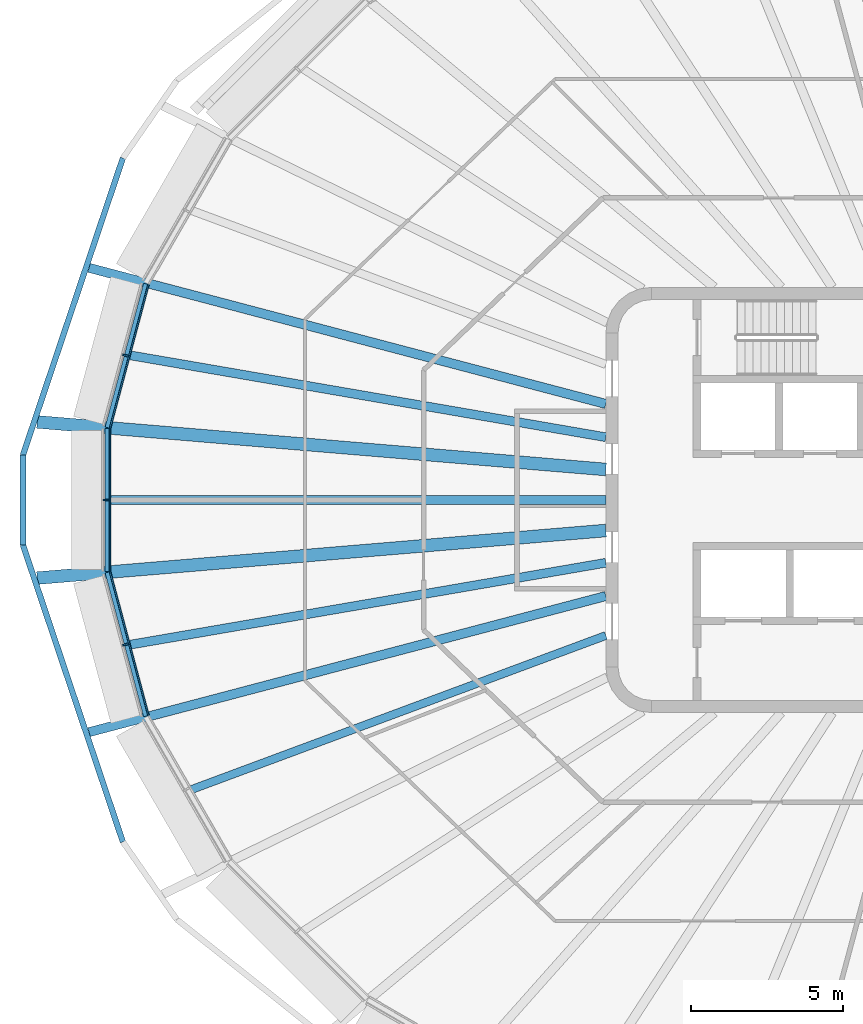
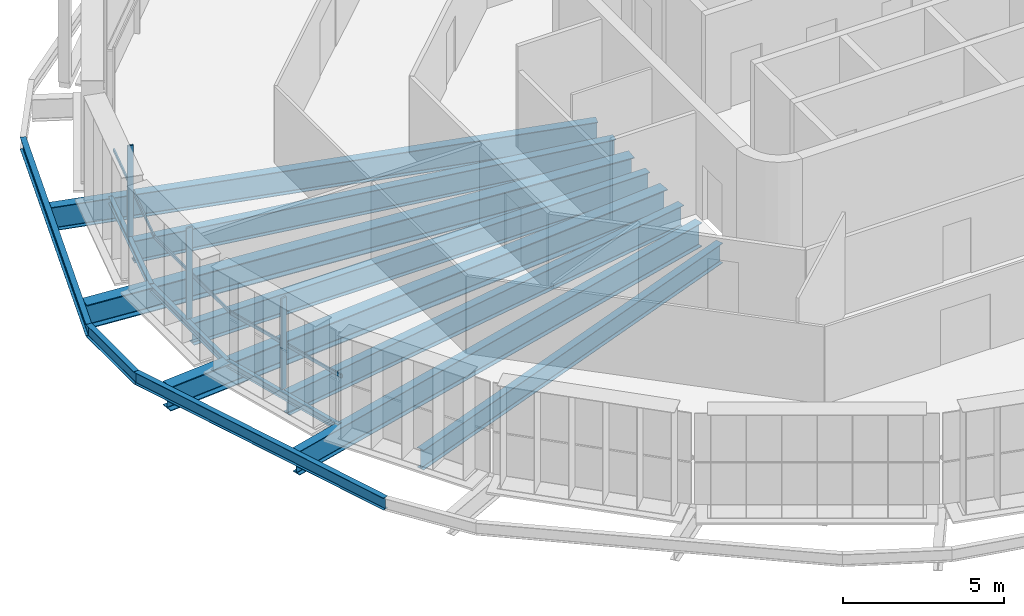
# One storey, part 2 of 19: 14 beams, 6 members, 3 elements without a shape of their own.
"""IFC4 building model written with IfcOpenShell, lengths in metres."""

import ifcopenshell
import ifcopenshell.guid

model = None  # the IFC model being written
_history = None  # IfcOwnerHistory: only IFC2X3 demands one
_inside = {}  # id of a spatial element -> (the spatial element, [elements in it])
_under = {}  # id of a project, library or spatial element -> (it, [spatial elements below it])
_declared = {}  # id of a project -> (the project, [libraries it declares])
_typed = {}  # id of a type object -> (the type object, [elements of that type])
_made_of = {}  # id of a material, layer set ... -> (it, [elements and type objects made of it])


def new_model(schema):
    """Start an empty IFC model of exactly this schema.

    Asked for "IFC4X3", IfcOpenShell would pick the latest addendum, in which some entities
    have other attributes; the version numbers below select the first issue.
    IFC2X3 requires an IfcOwnerHistory on every rooted entity: one is made here for all.
    """
    global model, _history
    if schema == "IFC4X3":
        model = ifcopenshell.file(schema_version=(4, 3, 0, 0))
    else:
        model = ifcopenshell.file(schema=schema)
    _inside.clear()
    _under.clear()
    _declared.clear()
    _typed.clear()
    _made_of.clear()
    _history = None
    if model.schema == "IFC2X3":
        org = make("IfcOrganization", Name="unknown")
        user = make(
            "IfcPersonAndOrganization",
            ThePerson=make("IfcPerson", FamilyName="unknown"),
            TheOrganization=org,
        )
        app = make(
            "IfcApplication",
            ApplicationDeveloper=org,
            Version="unknown",
            ApplicationFullName="unknown",
            ApplicationIdentifier="unknown",
        )
        _history = make(
            "IfcOwnerHistory",
            OwningUser=user,
            OwningApplication=app,
            ChangeAction="ADDED",
            CreationDate=0,
        )
    return model


def make(cls, **values):
    """One entity of the class cls with the attributes given. An attribute that is None is left unset."""
    return model.create_entity(
        cls, **{name: value for name, value in values.items() if value is not None}
    )


def rooted(cls, **values):
    """An entity with a GlobalId (a new one), such as an element, a storey or a relation."""
    return make(cls, GlobalId=ifcopenshell.guid.new(), OwnerHistory=_history, **values)


def si_unit(unit_type, name, prefix=None):
    """IfcSIUnit, for example si_unit("LENGTHUNIT", "METRE", prefix="MILLI")."""
    return make("IfcSIUnit", UnitType=unit_type, Prefix=prefix, Name=name)


def assignment(units):
    """IfcUnitAssignment: the units of a project."""
    return None if units is None else make("IfcUnitAssignment", Units=units)


def point(xyz):
    """IfcCartesianPoint."""
    return None if xyz is None else make("IfcCartesianPoint", Coordinates=xyz)


def direction(xyz):
    """IfcDirection."""
    return None if xyz is None else make("IfcDirection", DirectionRatios=xyz)


def frame(location, z_axis=None, x_axis=None):
    """IfcAxis2Placement3D, a coordinate frame: its origin and axes. An axis left out is left unset."""
    return make(
        "IfcAxis2Placement3D",
        Location=point(location),
        Axis=direction(z_axis),
        RefDirection=direction(x_axis),
    )


def frame_2d(location, x_axis=None):
    """IfcAxis2Placement2D, a coordinate frame in the plane: its origin and x axis."""
    return make(
        "IfcAxis2Placement2D", Location=point(location), RefDirection=direction(x_axis)
    )


def origin():
    """The frame at (0, 0, 0) with its axes left unset."""
    return frame((0.0, 0.0, 0.0))


def origin_2d():
    """The frame at (0, 0) in the plane with its x axis left unset."""
    return frame_2d((0.0, 0.0))


def place(relative_to, where):
    """IfcLocalPlacement: puts the frame where relative to a parent placement (None: the world)."""
    return make(
        "IfcLocalPlacement", PlacementRelTo=relative_to, RelativePlacement=where
    )


def context(
    kind, dimensions, precision=None, world=None, true_north=None, identifier=None
):
    """IfcGeometricRepresentationContext, for example the 3D "Model" context."""
    return make(
        "IfcGeometricRepresentationContext",
        ContextIdentifier=identifier,
        ContextType=kind,
        CoordinateSpaceDimension=dimensions,
        Precision=precision,
        WorldCoordinateSystem=world,
        TrueNorth=true_north,
    )


def subcontext(parent, identifier, kind, view, scale=None):
    """IfcGeometricRepresentationSubContext, for example "Body" below "Model"."""
    return make(
        "IfcGeometricRepresentationSubContext",
        ContextIdentifier=identifier,
        ContextType=kind,
        ParentContext=parent,
        TargetScale=scale,
        TargetView=view,
    )


def project(units=None, contexts=None):
    """IfcProject with its units and contexts."""
    return rooted(
        "IfcProject",
        Name="project",
        RepresentationContexts=contexts,
        UnitsInContext=assignment(units),
    )


def spatial(cls, under=None, at=None, **own):
    """A site, building, storey or space (cls), placed at a placement, below another one or the project."""
    s = rooted(cls, ObjectPlacement=at, **own)
    if under is not None:
        _under.setdefault(under.id(), (under, []))[1].append(s)
    return s


def profile(cls, at=None, kind="AREA", **sizes):
    """A parametric profile (cls). Its sizes go by their IFC names, for example OverallWidth=200.0."""
    return make(cls, ProfileType=kind, Position=at, **sizes)


def rectangle(**sizes):
    """IfcRectangleProfileDef."""
    return profile("IfcRectangleProfileDef", **sizes)


def i_section(**sizes):
    """IfcIShapeProfileDef."""
    return profile("IfcIShapeProfileDef", **sizes)


def extrude(swept, where, along, depth):
    """IfcExtrudedAreaSolid: the profile swept, set in the frame where, extruded along a direction by depth."""
    return make(
        "IfcExtrudedAreaSolid",
        SweptArea=swept,
        Position=where,
        ExtrudedDirection=direction(along),
        Depth=depth,
    )


def shape(context_of_items, identifier, shape_type, items):
    """IfcShapeRepresentation: the items that make up one representation, for example the "Body"."""
    return make(
        "IfcShapeRepresentation",
        ContextOfItems=context_of_items,
        RepresentationIdentifier=identifier,
        RepresentationType=shape_type,
        Items=items,
    )


def material(Name=None, Category=None):
    """IfcMaterial."""
    return make("IfcMaterial", Name=Name, Category=Category)


def layer(
    of_material, thickness, ventilated=None, Name=None, Category=None, Priority=None
):
    """IfcMaterialLayer: one layer of a wall or slab, of a material (None: an air gap)."""
    return make(
        "IfcMaterialLayer",
        Material=of_material,
        LayerThickness=thickness,
        IsVentilated=ventilated,
        Name=Name,
        Category=Category,
        Priority=Priority,
    )


def layer_set(layers, Name=None):
    """IfcMaterialLayerSet."""
    return make("IfcMaterialLayerSet", MaterialLayers=layers, LayerSetName=Name)


def material_profile(
    of_material, cross_section, Name=None, Category=None, Priority=None
):
    """IfcMaterialProfile: a cross section and its material."""
    return make(
        "IfcMaterialProfile",
        Name=Name,
        Material=of_material,
        Profile=cross_section,
        Priority=Priority,
        Category=Category,
    )


def profile_set(profiles, Name=None, composite=None):
    """IfcMaterialProfileSet."""
    return make(
        "IfcMaterialProfileSet",
        Name=Name,
        MaterialProfiles=profiles,
        CompositeProfile=composite,
    )


def made_of(thing, what):
    """Note that an element or type object is made of a material, layer set ...; save() writes the relation."""
    if what is not None:
        _made_of.setdefault(what.id(), (what, []))[1].append(thing)
    return thing


def type_object(cls, material=None, **own):
    """A type object (cls), such as IfcWallType, which elements share."""
    return made_of(rooted(cls, **own), material)


def element(
    cls,
    number,
    at=None,
    inside=None,
    cuts=None,
    type_object=None,
    material=None,
    context=None,
    identifier="Body",
    shape_type=None,
    held_by="IfcProductDefinitionShape",
    body=None,
    shapes=None,
    **own,
):
    """One element of the class cls, such as IfcWall. Its Tag is "e" and its number.

    at: its placement. inside: the storey or other place that contains it. cuts: it is an
    opening in that element (IfcRelVoidsElement). A single representation is given by context,
    identifier, shape_type and body (its items); several are given by shapes. held_by: the class
    of the entity that holds the representations. save() writes the other relations.
    """
    e = rooted(cls, Tag="e%d" % number, ObjectPlacement=at, **own)
    if body is not None:
        shapes = [shape(context, identifier, shape_type, body)]
    if shapes is not None:
        e.Representation = make(held_by, Representations=shapes)
    if inside is not None:
        _inside.setdefault(inside.id(), (inside, []))[1].append(e)
    if cuts is not None:
        rooted(
            "IfcRelVoidsElement", RelatingBuildingElement=cuts, RelatedOpeningElement=e
        )
    if type_object is not None:
        _typed.setdefault(type_object.id(), (type_object, []))[1].append(e)
    return made_of(e, material)


def aggregate(whole, parts):
    """IfcRelAggregates: a whole, such as a stair, and the parts it consists of."""
    return rooted("IfcRelAggregates", RelatingObject=whole, RelatedObjects=parts)


def save(model, path):
    """Write the relations noted so far, then the file.

    IfcRelAggregates (storeys below a building ...), IfcRelContainedInSpatialStructure (elements
    in a storey), IfcRelDefinesByType, IfcRelAssociatesMaterial and IfcRelDeclares: one each for
    every whole, place, type object, material and project.
    """
    for whole, parts in _under.values():
        aggregate(whole, parts)
    for where, things in _inside.values():
        rooted(
            "IfcRelContainedInSpatialStructure",
            RelatedElements=things,
            RelatingStructure=where,
        )
    for kind, things in _typed.values():
        rooted("IfcRelDefinesByType", RelatedObjects=things, RelatingType=kind)
    for what, things in _made_of.values():
        rooted("IfcRelAssociatesMaterial", RelatedObjects=things, RelatingMaterial=what)
    for by, libraries in _declared.values():
        rooted("IfcRelDeclares", RelatingContext=by, RelatedDefinitions=libraries)
    model.write(path)


model = new_model("IFC4")

# Units and contexts
model_context = context("Model", 3, precision=1e-05, world=origin(), true_north=direction((0.0, 1.0)))
body_context = subcontext(model_context, "Body", "Model", "MODEL_VIEW")
ifc_project = project(units=[si_unit("LENGTHUNIT", "METRE"), si_unit("AREAUNIT", "SQUARE_METRE"), si_unit("VOLUMEUNIT", "CUBIC_METRE"), si_unit("PLANEANGLEUNIT", "RADIAN"), si_unit("MASSUNIT", "GRAM", prefix="KILO")], contexts=[model_context])

# Site, building, storey
site_placement = place(None, origin())
site = spatial("IfcSite", under=ifc_project, at=site_placement, CompositionType="ELEMENT")
building_placement = place(site_placement, origin())
building = spatial("IfcBuilding", under=site, at=building_placement, Name="Sahrelin Media Tower", CompositionType="ELEMENT")
storey_placement = place(building_placement, frame((0.0, 0.0, 287.0)))
storey = spatial("IfcBuildingStorey", under=building, at=storey_placement, Name="L63", CompositionType="ELEMENT", Elevation=287.0)

# Beams
ifc_material_1 = material(Name="Steel S355", Category="steel")
ifc_material_profile_1 = material_profile(ifc_material_1, i_section(OverallWidth=0.14599609375, OverallDepth=0.25146484375, WebThickness=0.006103515625, FlangeThickness=0.008544921875, FilletRadius=0.007568359375, at=origin_2d()), Name="UB 254x146x31")
ifc_profile_set_1 = profile_set([ifc_material_profile_1], Name="Steel S355")
beam_type_1 = type_object("IfcBeamType", Name="Edge beam EB1", PredefinedType="BEAM", material=ifc_profile_set_1)
beam_1_placement = place(storey_placement, frame((-27.146484375, -7.115234375, -0.275634765625), z_axis=(-0.258819989216, 0.965925573314, 0.0), x_axis=(-0.965925573314, -0.258819989216, 0.0)))
element("IfcBeam", 1, at=beam_1_placement, inside=storey, type_object=beam_type_1, Name="Edge beam L63-09", PredefinedType="BEAM", context=body_context, shape_type="SweptSolid", body=[
    extrude(i_section(OverallWidth=0.14599609375, OverallDepth=0.25146484375, WebThickness=0.006103515625, FlangeThickness=0.008544921875, FilletRadius=0.007568359375, at=origin_2d()), origin(), (0.0, 0.0, 1.0), 4.896484375),
])
beam_2_placement = place(storey_placement, frame((-28.41748046875, -2.35693359375, -0.275634765625), z_axis=(0.0, 1.0, 0.0), x_axis=(-1.0, 0.0, 0.0)))
element("IfcBeam", 2, at=beam_2_placement, inside=storey, type_object=beam_type_1, Name="Edge beam L63-10", PredefinedType="BEAM", context=body_context, shape_type="SweptSolid", body=[
    extrude(i_section(OverallWidth=0.14599609375, OverallDepth=0.25146484375, WebThickness=0.006103515625, FlangeThickness=0.008544921875, FilletRadius=0.007568359375, at=origin_2d()), origin(), (0.0, 0.0, 1.0), 4.7138671875),
])
beam_3_placement = place(storey_placement, frame((-28.413818359375, 2.385498046875, -0.275634765625), z_axis=(0.258819989216, 0.965925573314, 0.0), x_axis=(-0.965925573314, 0.258819989216, 0.0)))
element("IfcBeam", 3, at=beam_3_placement, inside=storey, type_object=beam_type_1, Name="Edge beam L63-11", PredefinedType="BEAM", context=body_context, shape_type="SweptSolid", body=[
    extrude(i_section(OverallWidth=0.14599609375, OverallDepth=0.25146484375, WebThickness=0.006103515625, FlangeThickness=0.008544921875, FilletRadius=0.007568359375, at=origin_2d()), origin(), (0.0, 0.0, 1.0), 4.896484375),
])

# Curtain wall, member
ifc_material_2 = material(Name="Champagne anodised aluminium 6063-T6", Category="aluminium")
ifc_layer = layer(ifc_material_2, 0.14990234375)
ifc_layer_set = layer_set([ifc_layer], Name="Tower ribbon curtain wall")
curtain_wall_type = type_object("IfcCurtainWallType", Name="Tower ribbon curtain wall", PredefinedType="NOTDEFINED", material=ifc_layer_set)
curtain_wall_1_placement = place(storey_placement, frame((-27.9248046875, 4.789306640625, 0.0), z_axis=(0.0, 0.0, 1.0), x_axis=(1.0, 0.0, 0.0)))
curtain_wall_1 = element("IfcCurtainWall", 4, at=curtain_wall_1_placement, inside=storey, type_object=curtain_wall_type, Name="L63:CW:L63-11", PredefinedType="NOTDEFINED")
ifc_material_profile_2 = material_profile(ifc_material_2, rectangle(XDim=0.06005859375, YDim=0.199951171875, at=origin_2d()), Name="Mullion 60x200")
ifc_profile_set_2 = profile_set([ifc_material_profile_2], Name="Champagne anodised aluminium 6063-T6")
member_type_1 = type_object("IfcMemberType", Name="Mullion 60x200 CW1C", PredefinedType="MULLION", material=ifc_profile_set_2)
member_1_placement = place(storey_placement, frame((-27.80908203125, 4.758056640625, 0.0), z_axis=(0.0, 0.0, 1.0), x_axis=(-0.258822416818, -0.965924922834, 0.0)))
member_1 = element("IfcMember", 5, at=member_1_placement, type_object=member_type_1, Name="L63:CWM:L63-11", PredefinedType="MULLION", context=body_context, shape_type="SweptSolid", body=[
    extrude(rectangle(XDim=0.06005859375, YDim=0.199951171875, at=origin_2d()), origin(), (0.0, 0.0, 1.0), 3.448486328125),
])

curtain_wall_2_placement = place(storey_placement, frame((-28.5673828125, 0.0, 0.0), z_axis=(0.0, 0.0, 1.0), x_axis=(1.0, 0.0, 0.0)))
curtain_wall_2 = element("IfcCurtainWall", 6, at=curtain_wall_2_placement, inside=storey, type_object=curtain_wall_type, Name="L63:CW:L63-12", PredefinedType="NOTDEFINED")
member_2_placement = place(storey_placement, frame((-28.447509765625, 0.0, 0.0), z_axis=(0.0, 0.0, 1.0), x_axis=(0.0, -1.0, 0.0)))
member_2 = element("IfcMember", 7, at=member_2_placement, type_object=member_type_1, Name="L63:CWM:L63-12", PredefinedType="MULLION", context=body_context, shape_type="SweptSolid", body=[
    extrude(rectangle(XDim=0.06005859375, YDim=0.199951171875, at=origin_2d()), origin(), (0.0, 0.0, 1.0), 3.448486328125),
])

curtain_wall_3_placement = place(storey_placement, frame((-27.9248046875, -4.789306640625, 0.0), z_axis=(0.0, 0.0, 1.0), x_axis=(1.0, 0.0, 0.0)))
curtain_wall_3 = element("IfcCurtainWall", 8, at=curtain_wall_3_placement, inside=storey, type_object=curtain_wall_type, Name="L63:CW:L63-13", PredefinedType="NOTDEFINED")
member_3_placement = place(storey_placement, frame((-27.80908203125, -4.758056640625, 0.0), z_axis=(0.0, 0.0, 1.0), x_axis=(0.258822416818, -0.965924922834, 0.0)))
member_3 = element("IfcMember", 9, at=member_3_placement, type_object=member_type_1, Name="L63:CWM:L63-13", PredefinedType="MULLION", context=body_context, shape_type="SweptSolid", body=[
    extrude(rectangle(XDim=0.06005859375, YDim=0.199951171875, at=origin_2d()), origin(), (0.0, 0.0, 1.0), 3.448486328125),
])

# Beams
ifc_material_profile_3 = material_profile(ifc_material_1, i_section(OverallWidth=0.30322265625, OverallDepth=0.903076171875, WebThickness=0.01513671875, FlangeThickness=0.020263671875, FilletRadius=0.01904296875, at=origin_2d()), Name="UB 914x305x201")
ifc_profile_set_3 = profile_set([ifc_material_profile_3], Name="Steel S355")
beam_type_2 = type_object("IfcBeamType", Name="Radial primary beam PB11", PredefinedType="BEAM", material=ifc_profile_set_3)
for number, where, z_axis, x_axis, name in (
    (10, (-12.0, 3.1611328125, -0.6015625), (-0.96700710419, 0.254749407156, 0.0), (-0.254749407156, -0.96700710419, 0.0), "Radial beam L63-11"),
    (11, (-12.0, -3.1611328125, -0.6015625), (-0.96700710419, -0.254749407156, 0.0), (0.254749407156, -0.96700710419, 0.0), "Radial beam L63-14"),
):
    element("IfcBeam", number, at=place(storey_placement, frame(where, z_axis=z_axis, x_axis=x_axis)), inside=storey, type_object=beam_type_2, Name=name, PredefinedType="BEAM", context=body_context, shape_type="SweptSolid", body=[
        extrude(i_section(OverallWidth=0.30322265625, OverallDepth=0.903076171875, WebThickness=0.01513671875, FlangeThickness=0.020263671875, FilletRadius=0.01904296875, at=origin_2d()), origin(), (0.0, 0.0, 1.0), 17.595458984375),
    ])
ifc_material_profile_4 = material_profile(ifc_material_1, i_section(OverallWidth=0.41845703125, OverallDepth=0.911865234375, WebThickness=0.019287109375, FlangeThickness=0.031982421875, FilletRadius=0.024169921875, at=origin_2d()), Name="UB 914x419x343")
ifc_profile_set_4 = profile_set([ifc_material_profile_4], Name="Steel S355")
beam_type_3 = type_object("IfcBeamType", Name="Radial primary beam PB12", PredefinedType="BEAM", material=ifc_profile_set_4)
for number, where, z_axis, x_axis, name in (
    (12, (-12.0, 1.00439453125, -0.60595703125), (-0.996514859862, 0.083415430669, 0.0), (-0.083415430669, -0.996514859862, 0.0), "Radial beam L63-12"),
    (13, (-12.0, -1.00439453125, -0.60595703125), (-0.996514859862, -0.083415430669, 0.0), (0.083415430669, -0.996514859862, 0.0), "Radial beam L63-13"),
):
    element("IfcBeam", number, at=place(storey_placement, frame(where, z_axis=z_axis, x_axis=x_axis)), inside=storey, type_object=beam_type_3, Name=name, PredefinedType="BEAM", context=body_context, shape_type="SweptSolid", body=[
        extrude(i_section(OverallWidth=0.41845703125, OverallDepth=0.911865234375, WebThickness=0.019287109375, FlangeThickness=0.031982421875, FilletRadius=0.024169921875, at=origin_2d()), origin(), (0.0, 0.0, 1.0), 18.787109375),
    ])
ifc_material_profile_5 = material_profile(ifc_material_1, i_section(OverallWidth=0.291748046875, OverallDepth=0.8349609375, WebThickness=0.013916015625, FlangeThickness=0.018798828125, FilletRadius=0.017822265625, at=origin_2d()), Name="UB 838x292x176")
ifc_profile_set_5 = profile_set([ifc_material_profile_5], Name="Steel S355")
beam_type_4 = type_object("IfcBeamType", Name="Radial secondary beam SB10", PredefinedType="BEAM", material=ifc_profile_set_5)
beam_4_placement = place(storey_placement, frame((-12.0, 2.066650390625, -0.5673828125), z_axis=(-0.985493190297, 0.169714972464, 0.0), x_axis=(-0.169714972464, -0.985493190297, 0.0)))
element("IfcBeam", 14, at=beam_4_placement, inside=storey, type_object=beam_type_4, Name="Secondary beam L63-10", PredefinedType="BEAM", context=body_context, shape_type="SweptSolid", body=[
    extrude(i_section(OverallWidth=0.291748046875, OverallDepth=0.8349609375, WebThickness=0.013916015625, FlangeThickness=0.018798828125, FilletRadius=0.017822265625, at=origin_2d()), origin(), (0.0, 0.0, 1.0), 15.930419921875),
])
beam_5_placement = place(storey_placement, frame((-12.0, 0.0, -0.5673828125), z_axis=(-1.0, 0.0, 0.0), x_axis=(0.0, -1.0, 0.0)))
element("IfcBeam", 15, at=beam_5_placement, inside=storey, type_object=beam_type_4, Name="Secondary beam L63-11", PredefinedType="BEAM", context=body_context, shape_type="SweptSolid", body=[
    extrude(i_section(OverallWidth=0.291748046875, OverallDepth=0.8349609375, WebThickness=0.013916015625, FlangeThickness=0.018798828125, FilletRadius=0.017822265625, at=origin_2d()), origin(), (0.0, 0.0, 1.0), 16.344482421875),
])
beam_6_placement = place(storey_placement, frame((-12.0, -2.066650390625, -0.5673828125), z_axis=(-0.985493190297, -0.169714972464, 0.0), x_axis=(0.169714972464, -0.985493190297, 0.0)))
element("IfcBeam", 16, at=beam_6_placement, inside=storey, type_object=beam_type_4, Name="Secondary beam L63-12", PredefinedType="BEAM", context=body_context, shape_type="SweptSolid", body=[
    extrude(i_section(OverallWidth=0.291748046875, OverallDepth=0.8349609375, WebThickness=0.013916015625, FlangeThickness=0.018798828125, FilletRadius=0.017822265625, at=origin_2d()), origin(), (0.0, 0.0, 1.0), 15.930419921875),
])
ifc_material_profile_6 = material_profile(ifc_material_1, i_section(OverallWidth=0.26513671875, OverallDepth=0.75390625, WebThickness=0.0126953125, FlangeThickness=0.017578125, FilletRadius=0.0166015625, at=origin_2d()), Name="UB 762x267x147")
ifc_profile_set_6 = profile_set([ifc_material_profile_6], Name="Steel S355")
beam_type_5 = type_object("IfcBeamType", Name="Radial secondary beam SB9", PredefinedType="BEAM", material=ifc_profile_set_6)
beam_7_placement = place(storey_placement, frame((-12.0, -4.461181640625, -0.527099609375), z_axis=(-0.937324595945, -0.348457460584, 0.0), x_axis=(0.348457460584, -0.937324595945, 0.0)))
element("IfcBeam", 17, at=beam_7_placement, inside=storey, type_object=beam_type_5, Name="Secondary beam L63-13", PredefinedType="BEAM", context=body_context, shape_type="SweptSolid", body=[
    extrude(i_section(OverallWidth=0.26513671875, OverallDepth=0.75390625, WebThickness=0.0126953125, FlangeThickness=0.017578125, FilletRadius=0.0166015625, at=origin_2d()), origin(), (0.0, 0.0, 1.0), 14.569580078125),
])
ifc_material_profile_7 = material_profile(ifc_material_1, i_section(OverallWidth=0.1904296875, OverallDepth=0.45703125, WebThickness=0.009033203125, FlangeThickness=0.014404296875, FilletRadius=0.01025390625, at=origin_2d()), Name="UB 457x191x74")
ifc_profile_set_7 = profile_set([ifc_material_profile_7], Name="Steel S355")
beam_type_6 = type_object("IfcBeamType", Name="Tie chord TC5", PredefinedType="BEAM", material=ifc_profile_set_7)
beam_8_placement = place(storey_placement, frame((-27.8994140625, 11.257080078125, -0.37841796875), z_axis=(-0.318929959772, -0.947778286711, 0.0), x_axis=(0.947778286711, -0.318929959772, 0.0)))
element("IfcBeam", 18, at=beam_8_placement, inside=storey, type_object=beam_type_6, Name="Tie chord L63-11", PredefinedType="BEAM", context=body_context, shape_type="SweptSolid", body=[
    extrude(i_section(OverallWidth=0.1904296875, OverallDepth=0.45703125, WebThickness=0.009033203125, FlangeThickness=0.014404296875, FilletRadius=0.01025390625, at=origin_2d()), origin(), (0.0, 0.0, 1.0), 10.322021484375),
])
beam_9_placement = place(storey_placement, frame((-31.19140625, 1.47412109375, -0.37841796875), z_axis=(0.0, -1.0, 0.0), x_axis=(1.0, 0.0, 0.0)))
element("IfcBeam", 19, at=beam_9_placement, inside=storey, type_object=beam_type_6, Name="Tie chord L63-12", PredefinedType="BEAM", context=body_context, shape_type="SweptSolid", body=[
    extrude(i_section(OverallWidth=0.1904296875, OverallDepth=0.45703125, WebThickness=0.009033203125, FlangeThickness=0.014404296875, FilletRadius=0.01025390625, at=origin_2d()), origin(), (0.0, 0.0, 1.0), 2.9482421875),
])
beam_10_placement = place(storey_placement, frame((-31.19140625, -1.47412109375, -0.37841796875), z_axis=(0.318929959772, -0.947778286711, 0.0), x_axis=(0.947778286711, 0.318929959772, 0.0)))
element("IfcBeam", 20, at=beam_10_placement, inside=storey, type_object=beam_type_6, Name="Tie chord L63-13", PredefinedType="BEAM", context=body_context, shape_type="SweptSolid", body=[
    extrude(i_section(OverallWidth=0.1904296875, OverallDepth=0.45703125, WebThickness=0.009033203125, FlangeThickness=0.014404296875, FilletRadius=0.01025390625, at=origin_2d()), origin(), (0.0, 0.0, 1.0), 10.322021484375),
])

# Member
ifc_material_profile_8 = material_profile(ifc_material_2, rectangle(XDim=0.050048828125, YDim=0.1201171875, at=origin_2d()), Name="Transom 50x120")
ifc_profile_set_8 = profile_set([ifc_material_profile_8], Name="Champagne anodised aluminium 6063-T6")
member_type_2 = type_object("IfcMemberType", Name="Transom 50x120 CW1C", PredefinedType="USERDEFINED", material=ifc_profile_set_8)
member_4_placement = place(storey_placement, frame((-27.05859375, 7.075439453125, 1.60009765625), z_axis=(-0.258843108517, -0.965919378195, 0.0), x_axis=(0.965919378195, -0.258843108517, 0.0)))
member_4 = element("IfcMember", 21, at=member_4_placement, type_object=member_type_2, Name="L63:CWT:L63-11", ObjectType="TRANSOM", PredefinedType="USERDEFINED", context=body_context, shape_type="SweptSolid", body=[
    extrude(rectangle(XDim=0.050048828125, YDim=0.1201171875, at=origin_2d()), origin(), (0.0, 0.0, 1.0), 4.864990234375),
])

aggregate(curtain_wall_1, [member_1, member_4])

member_5_placement = place(storey_placement, frame((-28.322509765625, 2.34130859375, 1.60009765625), z_axis=(0.0, -1.0, 0.0), x_axis=(1.0, 0.0, 0.0)))
member_5 = element("IfcMember", 22, at=member_5_placement, type_object=member_type_2, Name="L63:CWT:L63-12", ObjectType="TRANSOM", PredefinedType="USERDEFINED", context=body_context, shape_type="SweptSolid", body=[
    extrude(rectangle(XDim=0.050048828125, YDim=0.1201171875, at=origin_2d()), origin(), (0.0, 0.0, 1.0), 4.6826171875),
])

aggregate(curtain_wall_2, [member_2, member_5])

member_6_placement = place(storey_placement, frame((-28.31787109375, -2.376220703125, 1.60009765625), z_axis=(0.258843108517, -0.965919378195, 0.0), x_axis=(0.965919378195, 0.258843108517, 0.0)))
member_6 = element("IfcMember", 23, at=member_6_placement, type_object=member_type_2, Name="L63:CWT:L63-13", ObjectType="TRANSOM", PredefinedType="USERDEFINED", context=body_context, shape_type="SweptSolid", body=[
    extrude(rectangle(XDim=0.050048828125, YDim=0.1201171875, at=origin_2d()), origin(), (0.0, 0.0, 1.0), 4.864990234375),
])

aggregate(curtain_wall_3, [member_3, member_6])

save(model, "model.ifc")
